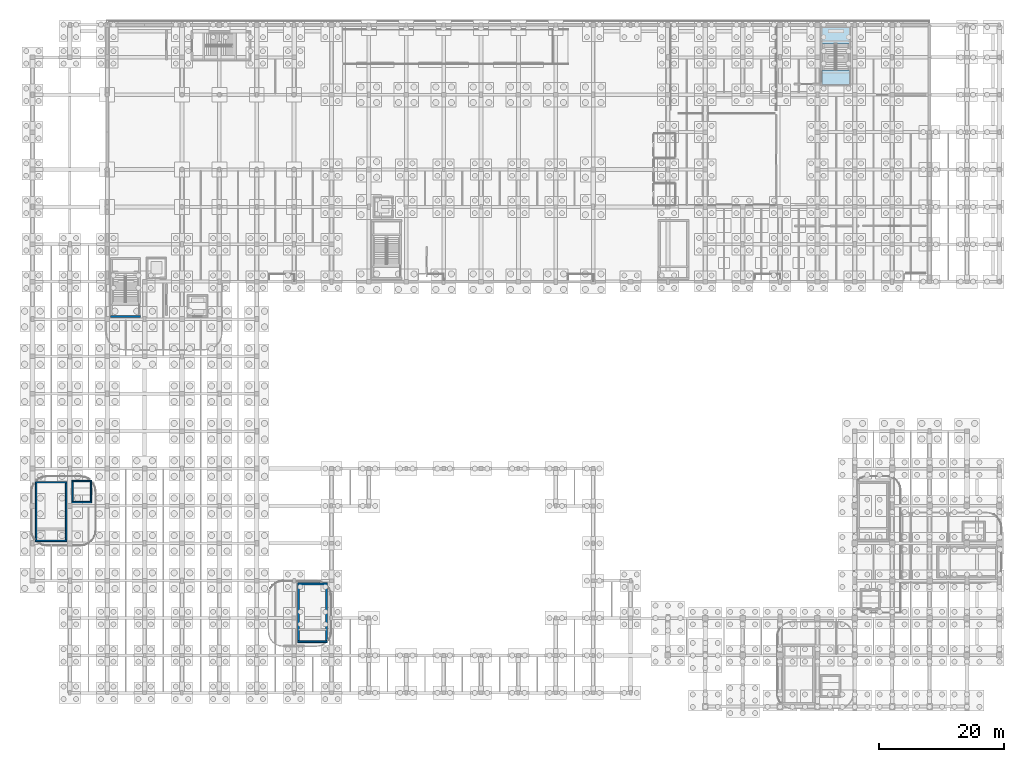
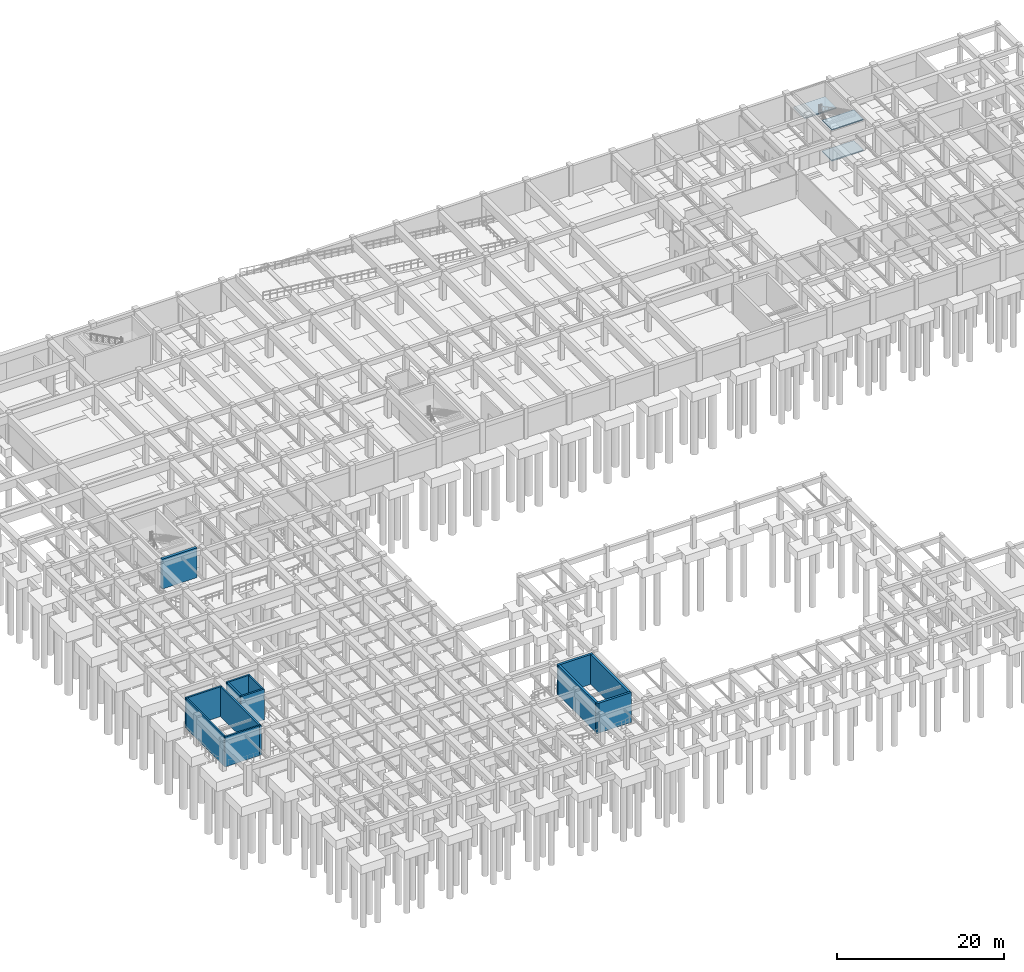
# One storey, part 17 of 32: 13 walls, 3 slabs, 1 element without a shape of its own.
"""IFC4 building model written with IfcOpenShell, lengths in metres."""

from ifc_helpers import new_model, si_unit, direction, frame, frame_2d, origin, place, context, subcontext, project, spatial, polyline, rectangle, outline, extrude, material, layer, layer_set, type_object, element, aggregate, save


model = new_model("IFC4")

# Units and contexts
model_context = context("Model", 3, precision=1e-05, world=origin(), true_north=direction((0.0, 1.0)))
body_context = subcontext(model_context, "Body", "Model", "MODEL_VIEW")
ifc_project = project(units=[si_unit("LENGTHUNIT", "METRE"), si_unit("AREAUNIT", "SQUARE_METRE"), si_unit("VOLUMEUNIT", "CUBIC_METRE"), si_unit("PLANEANGLEUNIT", "RADIAN"), si_unit("MASSUNIT", "GRAM", prefix="KILO")], contexts=[model_context])

# Site, building, storey
site_placement = place(None, origin())
site = spatial("IfcSite", under=ifc_project, at=site_placement, CompositionType="ELEMENT")
building_placement = place(site_placement, origin())
building = spatial("IfcBuilding", under=site, at=building_placement, Name="Varnakota Square Police Headquarters", CompositionType="ELEMENT")
storey_placement = place(building_placement, frame((0.0, 0.0, -4.5)))
storey = spatial("IfcBuildingStorey", under=building, at=storey_placement, Name="B1", CompositionType="ELEMENT", Elevation=-4.5)

# Stair, slabs
ifc_material_1 = material(Name="Concrete M40", Category="concrete")
stair_type = type_object("IfcStairType", Name="STR-DOG-1850", PredefinedType="USERDEFINED", material=ifc_material_1)
stair_placement = place(storey_placement, origin())
stair = element("IfcStair", 1, at=stair_placement, inside=storey, type_object=stair_type, Name="Protected exit stair ST8 (B1)", ObjectType="TWO_RETURN_STAIR", PredefinedType="USERDEFINED")
ifc_layer_1 = layer(ifc_material_1, 0.157958984375, Name="Concrete M40")
ifc_layer_set_1 = layer_set([ifc_layer_1], Name="Concrete M40")
slab_type = type_object("IfcSlabType", Name="SLB-LND-1850", PredefinedType="LANDING", material=ifc_layer_set_1)
slab_1_placement = place(storey_placement, frame((0.0, 0.0, 2.092041015625)))
slab_1 = element("IfcSlab", 2, at=slab_1_placement, type_object=slab_type, Name="ST8-B1 landing 1", PredefinedType="LANDING", context=body_context, shape_type="SweptSolid", body=[
    extrude(outline(polyline([(132.760009765625, 107.150634765625), (137.139892578125, 107.150634765625), (137.139892578125, 109.840087890625), (132.760009765625, 109.840087890625), (132.760009765625, 107.150634765625)])), origin(), (0.0, 0.0, 1.0), 0.157958984375),
])
slab_2_placement = place(storey_placement, frame((0.0, 0.0, 4.342041015625)))
slab_2 = element("IfcSlab", 3, at=slab_2_placement, type_object=slab_type, Name="ST8-B1 landing 2", PredefinedType="LANDING", context=body_context, shape_type="SweptSolid", body=[
    extrude(outline(polyline([(132.760009765625, 100.659912109375), (137.139892578125, 100.659912109375), (137.139892578125, 102.949951171875), (132.760009765625, 102.949951171875), (132.760009765625, 100.659912109375)])), origin(), (0.0, 0.0, 1.0), 0.157958984375),
])
slab_3_placement = place(storey_placement, frame((0.0, 0.0, -0.157958984375)))
slab_3 = element("IfcSlab", 4, at=slab_3_placement, type_object=slab_type, Name="ST8-B1 landing 3", PredefinedType="LANDING", context=body_context, shape_type="SweptSolid", body=[
    extrude(outline(polyline([(132.760009765625, 100.659912109375), (137.139892578125, 100.659912109375), (137.139892578125, 102.949951171875), (132.760009765625, 102.949951171875), (132.760009765625, 100.659912109375)])), origin(), (0.0, 0.0, 1.0), 0.157958984375),
])
aggregate(stair, [slab_1, slab_2, slab_3])

# Walls
ifc_layer_2 = layer(ifc_material_1, 0.22998046875, Name="Concrete M40")
ifc_layer_set_2 = layer_set([ifc_layer_2], Name="Concrete M40")
wall_type_1 = type_object("IfcWallType", Name="WL-CORE-230", PredefinedType="SHEAR", material=ifc_layer_set_2)
wall_1_placement = place(storey_placement, frame((6.485107421875, 27.39990234375, 0.0), z_axis=(0.0, 0.0, 1.0), x_axis=(1.0, 0.0, 0.0)))
element("IfcWall", 5, at=wall_1_placement, inside=storey, type_object=wall_type_1, Name="Core C4 shear wall B1 S", PredefinedType="SHEAR", context=body_context, shape_type="SweptSolid", body=[
    extrude(rectangle(XDim=5.02978515625, YDim=0.22998046875, at=frame_2d((2.514892578125, 0.0))), origin(), (0.0, 0.0, 1.0), 4.360107421875),
])
wall_2_placement = place(storey_placement, frame((11.39990234375, 27.284912109375, 0.0), z_axis=(0.0, 0.0, 1.0), x_axis=(0.0, 1.0, 0.0)))
element("IfcWall", 6, at=wall_2_placement, inside=storey, type_object=wall_type_1, Name="Core C4 shear wall B1 E", PredefinedType="SHEAR", context=body_context, shape_type="SweptSolid", body=[
    extrude(rectangle(XDim=9.630126953125, YDim=0.22998046875, at=frame_2d((4.81494140625, 0.0))), origin(), (0.0, 0.0, 1.0), 4.360107421875),
])
wall_3_placement = place(storey_placement, frame((11.514892578125, 36.800048828125, 0.0), z_axis=(0.0, 0.0, 1.0), x_axis=(-1.0, 0.0, 0.0)))
element("IfcWall", 7, at=wall_3_placement, inside=storey, type_object=wall_type_1, Name="Core C4 shear wall B1 N", PredefinedType="SHEAR", context=body_context, shape_type="SweptSolid", body=[
    extrude(rectangle(XDim=5.02978515625, YDim=0.22998046875, at=frame_2d((2.514892578125, 0.0))), origin(), (0.0, 0.0, 1.0), 4.360107421875),
])
wall_4_placement = place(storey_placement, frame((6.60009765625, 36.9150390625, 0.0), z_axis=(0.0, 0.0, 1.0), x_axis=(0.0, -1.0, 0.0)))
element("IfcWall", 8, at=wall_4_placement, inside=storey, type_object=wall_type_1, Name="Core C4 shear wall B1 W", PredefinedType="SHEAR", context=body_context, shape_type="SweptSolid", body=[
    extrude(rectangle(XDim=9.630126953125, YDim=0.22998046875, at=frame_2d((4.81494140625, 0.0))), origin(), (0.0, 0.0, 1.0), 4.360107421875),
])
wall_5_placement = place(storey_placement, frame((12.284912109375, 33.60009765625, 0.0), z_axis=(0.0, 0.0, 1.0), x_axis=(1.0, 0.0, 0.0)))
element("IfcWall", 9, at=wall_5_placement, inside=storey, type_object=wall_type_1, Name="Lift shaft wall LF-P2 B1 S", PredefinedType="SHEAR", context=body_context, shape_type="SweptSolid", body=[
    extrude(rectangle(XDim=3.22998046875, YDim=0.22998046875, at=frame_2d((1.614990234375, 0.0))), origin(), (0.0, 0.0, 1.0), 4.5),
])
wall_6_placement = place(storey_placement, frame((15.39990234375, 33.485107421875, 0.0), z_axis=(0.0, 0.0, 1.0), x_axis=(0.0, 1.0, 0.0)))
element("IfcWall", 10, at=wall_6_placement, inside=storey, type_object=wall_type_1, Name="Lift shaft wall LF-P2 B1 E", PredefinedType="SHEAR", context=body_context, shape_type="SweptSolid", body=[
    extrude(rectangle(XDim=3.6298828125, YDim=0.22998046875, at=frame_2d((1.81494140625, 0.0))), origin(), (0.0, 0.0, 1.0), 4.5),
])
wall_7_placement = place(storey_placement, frame((15.514892578125, 37.0, 0.0), z_axis=(0.0, 0.0, 1.0), x_axis=(-1.0, 0.0, 0.0)))
element("IfcWall", 11, at=wall_7_placement, inside=storey, type_object=wall_type_1, Name="Lift shaft wall LF-P2 B1 N", PredefinedType="SHEAR", context=body_context, shape_type="SweptSolid", body=[
    extrude(rectangle(XDim=3.22998046875, YDim=0.22998046875, at=frame_2d((1.614990234375, 0.0))), origin(), (0.0, 0.0, 1.0), 4.5),
])
wall_8_placement = place(storey_placement, frame((12.39990234375, 37.114990234375, 0.0), z_axis=(0.0, 0.0, 1.0), x_axis=(0.0, -1.0, 0.0)))
element("IfcWall", 12, at=wall_8_placement, inside=storey, type_object=wall_type_1, Name="Lift shaft wall LF-P2 B1 W", PredefinedType="SHEAR", context=body_context, shape_type="SweptSolid", body=[
    extrude(rectangle(XDim=3.6298828125, YDim=0.22998046875, at=frame_2d((1.81494140625, 0.0))), origin(), (0.0, 0.0, 1.0), 4.5),
])
ifc_material_2 = material(Name="Concrete M50", Category="concrete")
ifc_layer_3 = layer(ifc_material_2, 0.31005859375, Name="Concrete M50")
ifc_layer_set_3 = layer_set([ifc_layer_3], Name="Concrete M50")
wall_type_2 = type_object("IfcWallType", Name="WL-CORE-310", PredefinedType="SHEAR", material=ifc_layer_set_3)
wall_9_placement = place(storey_placement, frame((48.544921875, 11.199951171875, 0.0), z_axis=(0.0, 0.0, 1.0), x_axis=(1.0, 0.0, 0.0)))
element("IfcWall", 13, at=wall_9_placement, inside=storey, type_object=wall_type_2, Name="Core C10 shear wall B1 S", PredefinedType="SHEAR", context=body_context, shape_type="SweptSolid", body=[
    extrude(rectangle(XDim=4.81005859375, YDim=0.31005859375, at=frame_2d((2.405029296875, 0.0))), origin(), (0.0, 0.0, 1.0), 4.360107421875),
])
wall_10_placement = place(storey_placement, frame((53.199951171875, 11.044921875, 0.0), z_axis=(0.0, 0.0, 1.0), x_axis=(0.0, 1.0, 0.0)))
element("IfcWall", 14, at=wall_10_placement, inside=storey, type_object=wall_type_2, Name="Core C10 shear wall B1 E", PredefinedType="SHEAR", context=body_context, shape_type="SweptSolid", body=[
    extrude(rectangle(XDim=9.610107421875, YDim=0.31005859375, at=frame_2d((4.80517578125, 0.0))), origin(), (0.0, 0.0, 1.0), 4.360107421875),
])
wall_11_placement = place(storey_placement, frame((53.35498046875, 20.5, 0.0), z_axis=(0.0, 0.0, 1.0), x_axis=(-1.0, 0.0, 0.0)))
element("IfcWall", 15, at=wall_11_placement, inside=storey, type_object=wall_type_2, Name="Core C10 shear wall B1 N", PredefinedType="SHEAR", context=body_context, shape_type="SweptSolid", body=[
    extrude(rectangle(XDim=4.81005859375, YDim=0.31005859375, at=frame_2d((2.405029296875, 0.0))), origin(), (0.0, 0.0, 1.0), 4.360107421875),
])
wall_12_placement = place(storey_placement, frame((48.699951171875, 20.655029296875, 0.0), z_axis=(0.0, 0.0, 1.0), x_axis=(0.0, -1.0, 0.0)))
element("IfcWall", 16, at=wall_12_placement, inside=storey, type_object=wall_type_2, Name="Core C10 shear wall B1 W", PredefinedType="SHEAR", context=body_context, shape_type="SweptSolid", body=[
    extrude(rectangle(XDim=9.610107421875, YDim=0.31005859375, at=frame_2d((4.80517578125, 0.0))), origin(), (0.0, 0.0, 1.0), 4.360107421875),
])
ifc_layer_4 = layer(ifc_material_2, 0.35009765625, Name="Concrete M50")
ifc_layer_set_4 = layer_set([ifc_layer_4], Name="Concrete M50")
wall_type_3 = type_object("IfcWallType", Name="WL-CORE-350", PredefinedType="SHEAR", material=ifc_layer_set_4)
wall_13_placement = place(storey_placement, frame((18.52490234375, 63.39990234375, 0.0), z_axis=(0.0, 0.0, 1.0), x_axis=(1.0, 0.0, 0.0)))
element("IfcWall", 17, at=wall_13_placement, inside=storey, type_object=wall_type_3, Name="Core C5 shear wall B1 S", PredefinedType="SHEAR", context=body_context, shape_type="SweptSolid", body=[
    extrude(rectangle(XDim=4.85009765625, YDim=0.35009765625, at=frame_2d((2.425048828125, 0.0))), origin(), (0.0, 0.0, 1.0), 4.360107421875),
])

save(model, "model.ifc")
